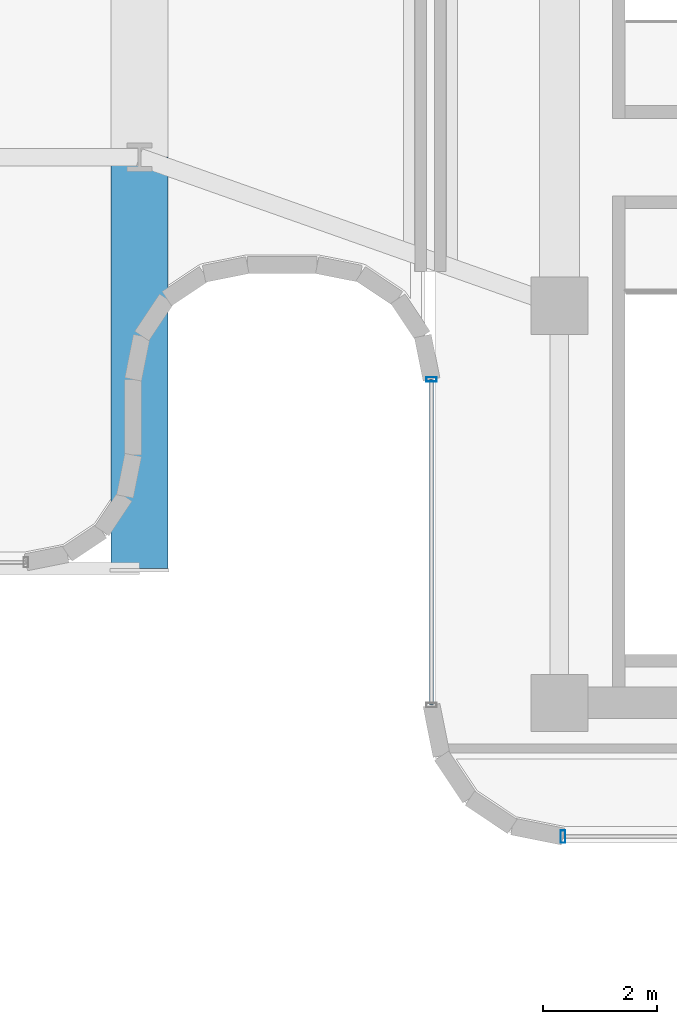
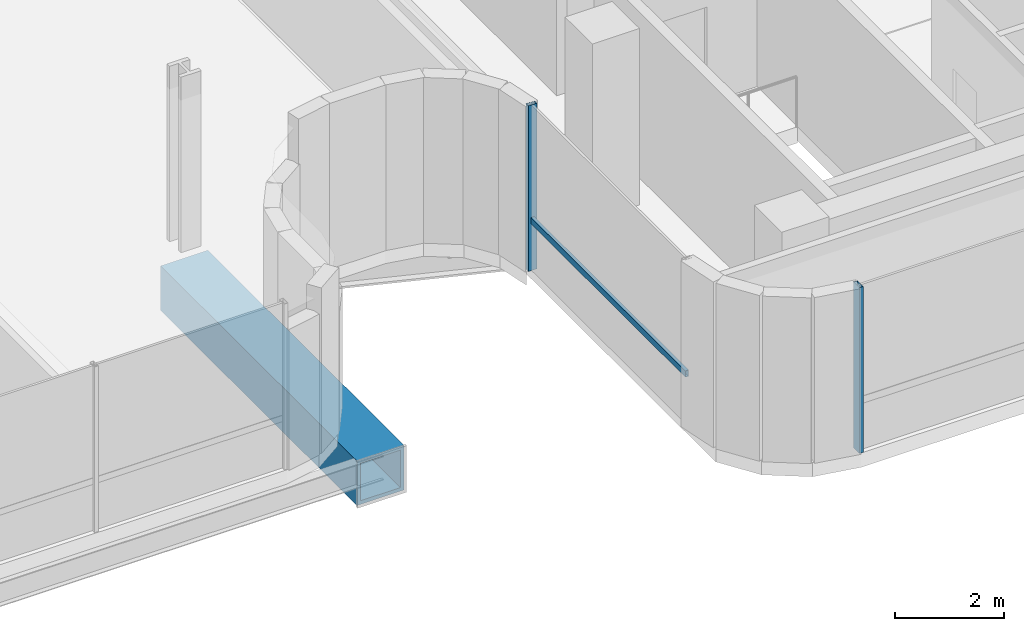
# One storey, part 12 of 35: 3 members, 1 beam, 2 elements without a shape of their own.
"""IFC4 building model written with IfcOpenShell, lengths in metres."""

from ifc_helpers import new_model, si_unit, direction, frame, origin, origin_2d, place, context, subcontext, project, spatial, hollow_rectangle, extrude, source, transform, mapped, material, material_profile, profile_set, type_object, element, aggregate, save


model = new_model("IFC4")

# Units and contexts
model_context = context("Model", 3, precision=1e-05, world=origin(), true_north=direction((0.0, 1.0)))
body_context = subcontext(model_context, "Body", "Model", "MODEL_VIEW")
ifc_project = project(units=[si_unit("LENGTHUNIT", "METRE"), si_unit("AREAUNIT", "SQUARE_METRE"), si_unit("VOLUMEUNIT", "CUBIC_METRE"), si_unit("PLANEANGLEUNIT", "RADIAN"), si_unit("MASSUNIT", "GRAM", prefix="KILO")], contexts=[model_context])

# Site, building, storey
site_placement = place(None, origin())
site = spatial("IfcSite", under=ifc_project, at=site_placement, CompositionType="ELEMENT")
building_placement = place(site_placement, origin())
building = spatial("IfcBuilding", under=site, at=building_placement, Name="Valdorenza Pilgrim Sanctuary Tower", CompositionType="ELEMENT")
storey_placement = place(building_placement, frame((0.0, 0.0, 192.35009765625)))
storey = spatial("IfcBuildingStorey", under=building, at=storey_placement, Name="L49", CompositionType="ELEMENT", Elevation=192.35009765625)

# Beam
ifc_material_1 = material(Name="Steel ASTM A572 Grade 42", Category="steel")
ifc_material_profile_1 = material_profile(ifc_material_1, hollow_rectangle(XDim=1.0, YDim=1.0, WallThickness=0.080078125, at=origin_2d()), Name="BOX 1000x1000x80")
ifc_profile_set_1 = profile_set([ifc_material_profile_1], Name="Steel ASTM A572 Grade 42")
beam_type = type_object("IfcBeamType", Name="STR-BM-PROW-CANT", PredefinedType="BEAM", material=ifc_profile_set_1)
shared_shape_1 = source(origin(), body_context, "Body", "SweptSolid", [
    extrude(hollow_rectangle(XDim=1.0, YDim=1.0, WallThickness=0.080078125, at=origin_2d()), origin(), (0.0, 0.0, 1.0), 7.199951171875),
])
beam_placement = place(storey_placement, frame((8.5, 0.0, -0.820068359375), z_axis=(0.0, -1.0, 0.0), x_axis=(1.0, 0.0, 0.0)))
element("IfcBeam", 1, at=beam_placement, inside=storey, type_object=beam_type, Name="L49 South Sanctuary Prow Cantilever PROW-CANT-S-E", PredefinedType="BEAM", context=body_context, shape_type="MappedRepresentation", body=[
    mapped(shared_shape_1, transform((0.0, 0.0, 0.0), x_axis=(1.0, 0.0, 0.0), y_axis=(0.0, 1.0, 0.0), z_axis=(0.0, 0.0, 1.0), scale=1.0)),
])

# Curtain wall, members
ifc_material_2 = material(Name="Curtain-wall IGU glazing", Category="glass")
curtain_wall_type_1 = type_object("IfcCurtainWallType", Name="CW-SYS-05", PredefinedType="NOTDEFINED", material=ifc_material_2)
curtain_wall_1_placement = place(storey_placement, origin())
curtain_wall_1 = element("IfcCurtainWall", 2, at=curtain_wall_1_placement, inside=storey, type_object=curtain_wall_type_1, Name="L49 Curtain Wall CW-L49-1-47", PredefinedType="NOTDEFINED")
ifc_material_3 = material(Name="Anodised aluminium AW-6060", Category="aluminium")
ifc_material_profile_2 = material_profile(ifc_material_3, hollow_rectangle(XDim=0.070068359375, YDim=0.139892578125, WallThickness=0.00341796875, at=origin_2d()), Name="ALU-T 140x70x3.5")
ifc_profile_set_2 = profile_set([ifc_material_profile_2], Name="Anodised aluminium AW-6060")
member_type_1 = type_object("IfcMemberType", Name="CW-TRN-05", PredefinedType="USERDEFINED", material=ifc_profile_set_2)
shared_shape_2 = source(origin(), body_context, "Body", "SweptSolid", [
    extrude(hollow_rectangle(XDim=0.070068359375, YDim=0.139892578125, WallThickness=0.00341796875, at=origin_2d()), origin(), (0.0, 0.0, 1.0), 5.699951171875),
])
member_1_placement = place(storey_placement, frame((13.610107421875, -9.589111328125, 1.119873046875), z_axis=(0.0, 1.0, 0.0), x_axis=(-1.0, 0.0, 0.0)))
member_1 = element("IfcMember", 3, at=member_1_placement, type_object=member_type_1, Name="CW-L49-1-47 Transom 1", ObjectType="TRANSOM", PredefinedType="USERDEFINED", context=body_context, shape_type="MappedRepresentation", body=[
    mapped(shared_shape_2, transform((0.0, 0.0, 0.0), x_axis=(1.0, 0.0, 0.0), y_axis=(0.0, 1.0, 0.0), z_axis=(0.0, 0.0, 1.0), scale=1.0)),
])
ifc_material_profile_3 = material_profile(ifc_material_3, hollow_rectangle(XDim=0.080078125, YDim=0.179931640625, WallThickness=0.00439453125, at=origin_2d()), Name="ALU-M 180x80x4.5")
ifc_profile_set_3 = profile_set([ifc_material_profile_3], Name="Anodised aluminium AW-6060")
member_type_2 = type_object("IfcMemberType", Name="CW-MUL-05", PredefinedType="MULLION", material=ifc_profile_set_3)
shared_shape_3 = source(origin(), body_context, "Body", "SweptSolid", [
    extrude(hollow_rectangle(XDim=0.080078125, YDim=0.179931640625, WallThickness=0.00439453125, at=origin_2d()), origin(), (0.0, 0.0, 1.0), 3.7099609375),
])
member_2_placement = place(storey_placement, frame((13.610107421875, -3.88916015625, 0.0), z_axis=(0.0, 0.0, 1.0), x_axis=(0.0, 1.0, 0.0)))
member_2 = element("IfcMember", 4, at=member_2_placement, type_object=member_type_2, Name="CW-L49-1-47 Mullion 2", PredefinedType="MULLION", context=body_context, shape_type="MappedRepresentation", body=[
    mapped(shared_shape_3, transform((0.0, 0.0, 0.0), x_axis=(1.0, 0.0, 0.0), y_axis=(0.0, 1.0, 0.0), z_axis=(0.0, 0.0, 1.0), scale=1.0)),
])
aggregate(curtain_wall_1, [member_2, member_1])

# Curtain wall, member
curtain_wall_type_2 = type_object("IfcCurtainWallType", Name="CW-SYS-03", PredefinedType="NOTDEFINED", material=ifc_material_2)
curtain_wall_2_placement = place(storey_placement, origin())
curtain_wall_2 = element("IfcCurtainWall", 5, at=curtain_wall_2_placement, inside=storey, type_object=curtain_wall_type_2, Name="L49 Curtain Wall CW-L49-1-42", PredefinedType="NOTDEFINED")
ifc_material_profile_4 = material_profile(ifc_material_3, hollow_rectangle(XDim=0.0849609375, YDim=0.219970703125, WallThickness=0.0048828125, at=origin_2d()), Name="ALU-M 220x85x5")
ifc_profile_set_4 = profile_set([ifc_material_profile_4], Name="Anodised aluminium AW-6060")
member_type_3 = type_object("IfcMemberType", Name="CW-MUL-03", PredefinedType="MULLION", material=ifc_profile_set_4)
shared_shape_4 = source(origin(), body_context, "Body", "SweptSolid", [
    extrude(hollow_rectangle(XDim=0.0849609375, YDim=0.219970703125, WallThickness=0.0048828125, at=origin_2d()), origin(), (0.0, 0.0, 1.0), 3.7099609375),
])
member_3_placement = place(storey_placement, frame((15.910888671875, -11.889892578125, 0.0), z_axis=(0.0, 0.0, 1.0), x_axis=(-1.0, 0.0, 0.0)))
member_3 = element("IfcMember", 6, at=member_3_placement, type_object=member_type_3, Name="CW-L49-1-42 Mullion 3", PredefinedType="MULLION", context=body_context, shape_type="MappedRepresentation", body=[
    mapped(shared_shape_4, transform((0.0, 0.0, 0.0), x_axis=(1.0, 0.0, 0.0), y_axis=(0.0, 1.0, 0.0), z_axis=(0.0, 0.0, 1.0), scale=1.0)),
])
aggregate(curtain_wall_2, [member_3])

save(model, "model.ifc")
